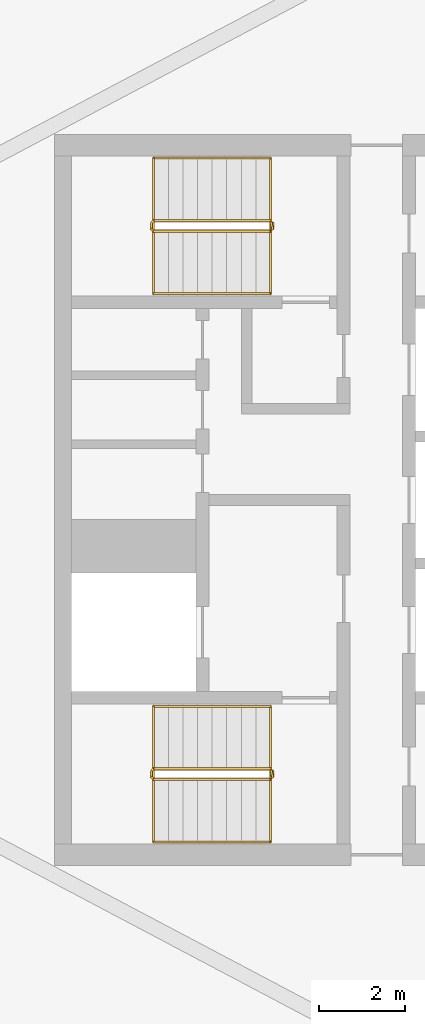
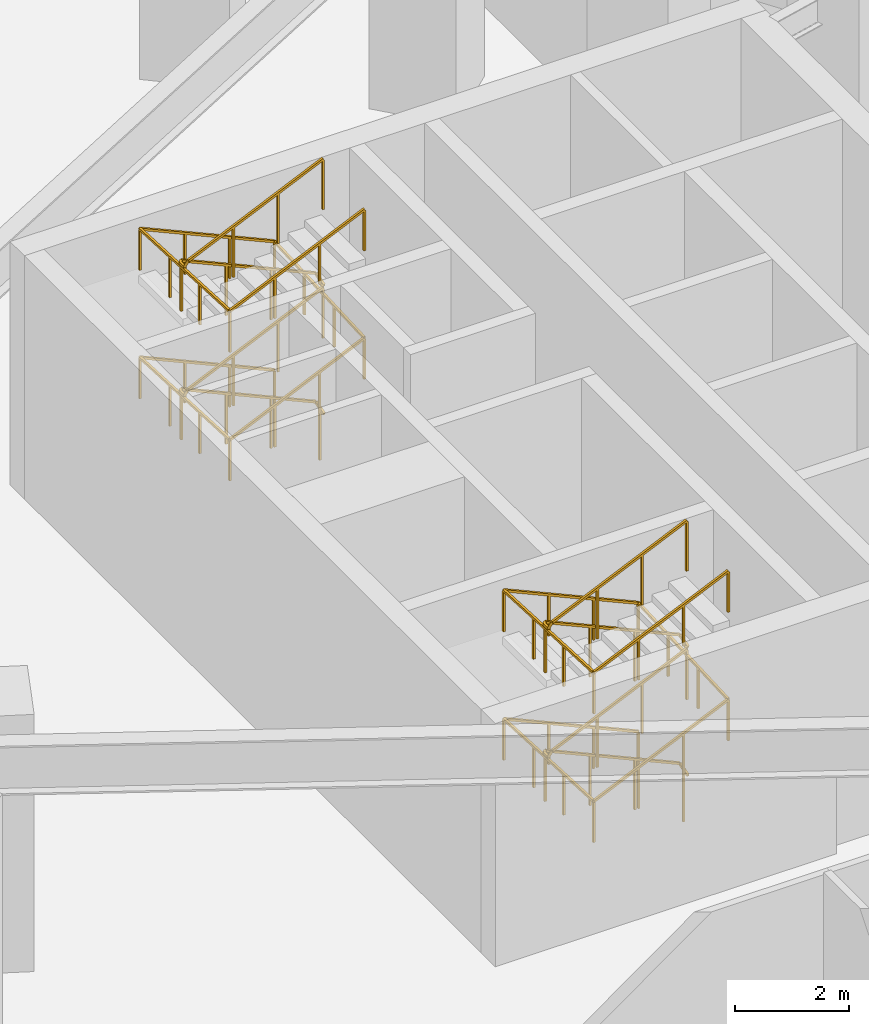
# One storey, part 56 of 63: 4 railings.
"""IFC4 building model written with IfcOpenShell, lengths in metres."""

from ifc_helpers import new_model, si_unit, direction, frame, origin, origin_2d, place, context, subcontext, project, spatial, rectangle, extrude, material, type_object, element, save


model = new_model("IFC4")

# Units and contexts
model_context = context("Model", 3, precision=1e-05, world=origin(), true_north=direction((0.0, 1.0)))
body_context = subcontext(model_context, "Body", "Model", "MODEL_VIEW")
ifc_project = project(units=[si_unit("LENGTHUNIT", "METRE"), si_unit("AREAUNIT", "SQUARE_METRE"), si_unit("VOLUMEUNIT", "CUBIC_METRE"), si_unit("PLANEANGLEUNIT", "RADIAN"), si_unit("MASSUNIT", "GRAM", prefix="KILO")], contexts=[model_context])

# Site, building, storey
site_placement = place(None, origin())
site = spatial("IfcSite", under=ifc_project, at=site_placement, CompositionType="ELEMENT")
building_placement = place(site_placement, origin())
building = spatial("IfcBuilding", under=site, at=building_placement, Name="Noorbagh Ring Tower", CompositionType="ELEMENT")
storey_placement = place(building_placement, frame((0.0, 0.0, 25.0)))
storey = spatial("IfcBuildingStorey", under=building, at=storey_placement, Name="L04", CompositionType="ELEMENT", Elevation=25.0)

# Railings
ifc_material_1 = material(Name="Stainless steel", Category="steel")
railing_type_1 = type_object("IfcRailingType", Name="CORE-STAIR-GUARD", PredefinedType="GUARDRAIL", material=ifc_material_1)
railing_1_placement = place(storey_placement, frame((21.580078125, 6.449951171875, 0.0)))
element("IfcRailing", 1, at=railing_1_placement, inside=storey, type_object=railing_type_1, Name="L04 ST3 stair guard", PredefinedType="GUARDRAIL", context=body_context, shape_type="SweptSolid", body=[
    extrude(rectangle(XDim=0.048095703125, YDim=0.048095703125, at=origin_2d()), frame((0.0, 0.0, 1.076171875), z_axis=(0.0, -1.0, 0.0), x_axis=(1.0, 0.0, 0.0)), (0.0, 0.0, 1.0), 0.14990234375),
    extrude(rectangle(XDim=0.048095703125, YDim=0.048095703125, at=origin_2d()), frame((0.0, -0.14990234375, 1.076171875), z_axis=(-0.195046945594, 0.779236333862, 0.595606770449), x_axis=(-0.970072785993, -0.242814311512, 0.0)), (0.0, 0.0, 1.0), 0.256591796875),
    extrude(rectangle(XDim=0.048095703125, YDim=0.048095703125, at=origin_2d()), frame((-0.050048828125, 0.050048828125, 1.22900390625), z_axis=(-0.912149621895, 0.0, 0.409857374312), x_axis=(0.0, -1.0, 0.0)), (0.0, 0.0, 1.0), 2.98193359375),
    extrude(rectangle(XDim=0.048095703125, YDim=0.048095703125, at=origin_2d()), frame((-2.77001953125, 0.050048828125, 2.451171875), z_axis=(-0.707106781187, -0.707106781187, 0.0), x_axis=(0.707106781187, -0.707106781187, 0.0)), (0.0, 0.0, 1.0), 0.07080078125),
    extrude(rectangle(XDim=0.048095703125, YDim=0.048095703125, at=origin_2d()), frame((-2.820068359375, 0.0, 2.451171875), z_axis=(0.0, -1.0, 0.0), x_axis=(1.0, 0.0, 0.0)), (0.0, 0.0, 1.0), 0.14990234375),
    extrude(rectangle(XDim=0.048095703125, YDim=0.048095703125, at=origin_2d()), frame((-2.820068359375, -0.14990234375, 2.451171875), z_axis=(0.297155754911, -0.297155754911, 0.90741220768), x_axis=(0.707106781187, 0.707106781187, 0.0)), (0.0, 0.0, 1.0), 0.16845703125),
    extrude(rectangle(XDim=0.048095703125, YDim=0.048095703125, at=origin_2d()), frame((-2.77001953125, -0.199951171875, 2.60400390625), z_axis=(0.912149621895, 0.0, 0.409857374312), x_axis=(0.0, 1.0, 0.0)), (0.0, 0.0, 1.0), 2.98193359375),
    extrude(rectangle(XDim=0.048095703125, YDim=0.048095703125, at=origin_2d()), frame((-0.050048828125, -0.199951171875, 3.826171875), z_axis=(0.242814311512, 0.970072785993, 0.0), x_axis=(-0.970072785993, 0.242814311512, 0.0)), (0.0, 0.0, 1.0), 0.2060546875),
    extrude(rectangle(XDim=0.048095703125, YDim=0.048095703125, at=origin_2d()), frame((0.0, 0.0, 3.826171875), z_axis=(0.0, -1.0, 0.0), x_axis=(1.0, 0.0, 0.0)), (0.0, 0.0, 1.0), 0.14990234375),
    extrude(rectangle(XDim=0.048095703125, YDim=0.048095703125, at=origin_2d()), frame((0.0, -0.14990234375, 3.826171875), z_axis=(-0.195046945594, 0.779236333862, 0.595606770449), x_axis=(-0.970072785993, -0.242814311512, 0.0)), (0.0, 0.0, 1.0), 0.256591796875),
    extrude(rectangle(XDim=0.048095703125, YDim=0.048095703125, at=origin_2d()), frame((-0.050048828125, 0.050048828125, 3.97900390625), z_axis=(-0.912149621895, 0.0, 0.409857374312), x_axis=(0.0, -1.0, 0.0)), (0.0, 0.0, 1.0), 2.98193359375),
    extrude(rectangle(XDim=0.048095703125, YDim=0.048095703125, at=origin_2d()), frame((-2.77001953125, 0.050048828125, 5.201171875), z_axis=(-0.707106781187, -0.707106781187, 0.0), x_axis=(0.707106781187, -0.707106781187, 0.0)), (0.0, 0.0, 1.0), 0.07080078125),
    extrude(rectangle(XDim=0.048095703125, YDim=0.048095703125, at=origin_2d()), frame((-2.820068359375, 0.0, 5.201171875), z_axis=(0.0, -1.0, 0.0), x_axis=(1.0, 0.0, 0.0)), (0.0, 0.0, 1.0), 0.14990234375),
    extrude(rectangle(XDim=0.048095703125, YDim=0.048095703125, at=origin_2d()), frame((-2.820068359375, -0.14990234375, 5.201171875), z_axis=(0.297155754911, -0.297155754911, 0.90741220768), x_axis=(0.707106781187, 0.707106781187, 0.0)), (0.0, 0.0, 1.0), 0.16845703125),
    extrude(rectangle(XDim=0.048095703125, YDim=0.048095703125, at=origin_2d()), frame((-2.77001953125, -0.199951171875, 5.35400390625), z_axis=(0.912149621895, 0.0, 0.409857374312), x_axis=(0.0, 1.0, 0.0)), (0.0, 0.0, 1.0), 2.98193359375),
    extrude(rectangle(XDim=0.0419921875, YDim=0.0419921875, at=origin_2d()), origin(), (0.0, 0.0, 1.0), 1.052001953125),
    extrude(rectangle(XDim=0.0419921875, YDim=0.0419921875, at=origin_2d()), frame((-0.956787109375, 0.050048828125, 0.560302734375)), (0.0, 0.0, 1.0), 1.052001953125),
    extrude(rectangle(XDim=0.0419921875, YDim=0.0419921875, at=origin_2d()), frame((-1.86328125, 0.050048828125, 0.967529296875)), (0.0, 0.0, 1.0), 1.052001953125),
    extrude(rectangle(XDim=0.0419921875, YDim=0.0419921875, at=origin_2d()), frame((-2.77001953125, 0.050048828125, 1.375)), (0.0, 0.0, 1.0), 1.052001953125),
    extrude(rectangle(XDim=0.0419921875, YDim=0.0419921875, at=origin_2d()), frame((-1.86328125, -0.199951171875, 1.935302734375)), (0.0, 0.0, 1.0), 1.052001953125),
    extrude(rectangle(XDim=0.0419921875, YDim=0.0419921875, at=origin_2d()), frame((-0.956787109375, -0.199951171875, 2.342529296875)), (0.0, 0.0, 1.0), 1.052001953125),
    extrude(rectangle(XDim=0.0419921875, YDim=0.0419921875, at=origin_2d()), frame((-0.050048828125, -0.199951171875, 2.75)), (0.0, 0.0, 1.0), 1.052001953125),
    extrude(rectangle(XDim=0.0419921875, YDim=0.0419921875, at=origin_2d()), frame((-0.956787109375, 0.050048828125, 3.310302734375)), (0.0, 0.0, 1.0), 1.052001953125),
    extrude(rectangle(XDim=0.0419921875, YDim=0.0419921875, at=origin_2d()), frame((-1.86328125, 0.050048828125, 3.717529296875)), (0.0, 0.0, 1.0), 1.052001953125),
    extrude(rectangle(XDim=0.0419921875, YDim=0.0419921875, at=origin_2d()), frame((-2.77001953125, 0.050048828125, 4.125)), (0.0, 0.0, 1.0), 1.052001953125),
    extrude(rectangle(XDim=0.0419921875, YDim=0.0419921875, at=origin_2d()), frame((-1.86328125, -0.199951171875, 4.685302734375)), (0.0, 0.0, 1.0), 1.052001953125),
    extrude(rectangle(XDim=0.0419921875, YDim=0.0419921875, at=origin_2d()), frame((-0.956787109375, -0.199951171875, 5.092529296875)), (0.0, 0.0, 1.0), 1.052001953125),
    extrude(rectangle(XDim=0.0419921875, YDim=0.0419921875, at=origin_2d()), frame((-0.050048828125, -0.199951171875, 5.5)), (0.0, 0.0, 1.0), 1.052001953125),
])
railing_2_placement = place(storey_placement, frame((21.580078125, -6.300048828125, 0.0)))
element("IfcRailing", 2, at=railing_2_placement, inside=storey, type_object=railing_type_1, Name="L04 ST4 stair guard", PredefinedType="GUARDRAIL", context=body_context, shape_type="SweptSolid", body=[
    extrude(rectangle(XDim=0.048095703125, YDim=0.048095703125, at=origin_2d()), frame((0.0, 0.0, 1.076171875), z_axis=(0.0, -1.0, 0.0), x_axis=(1.0, 0.0, 0.0)), (0.0, 0.0, 1.0), 0.14990234375),
    extrude(rectangle(XDim=0.048095703125, YDim=0.048095703125, at=origin_2d()), frame((0.0, -0.14990234375, 1.076171875), z_axis=(-0.195046945594, 0.779236333862, 0.595606770449), x_axis=(-0.970072785993, -0.242814311512, 0.0)), (0.0, 0.0, 1.0), 0.256591796875),
    extrude(rectangle(XDim=0.048095703125, YDim=0.048095703125, at=origin_2d()), frame((-0.050048828125, 0.050048828125, 1.22900390625), z_axis=(-0.912149621895, 0.0, 0.409857374312), x_axis=(0.0, -1.0, 0.0)), (0.0, 0.0, 1.0), 2.98193359375),
    extrude(rectangle(XDim=0.048095703125, YDim=0.048095703125, at=origin_2d()), frame((-2.77001953125, 0.050048828125, 2.451171875), z_axis=(-0.707106781187, -0.707106781187, 0.0), x_axis=(0.707106781187, -0.707106781187, 0.0)), (0.0, 0.0, 1.0), 0.07080078125),
    extrude(rectangle(XDim=0.048095703125, YDim=0.048095703125, at=origin_2d()), frame((-2.820068359375, 0.0, 2.451171875), z_axis=(0.0, -1.0, 0.0), x_axis=(1.0, 0.0, 0.0)), (0.0, 0.0, 1.0), 0.14990234375),
    extrude(rectangle(XDim=0.048095703125, YDim=0.048095703125, at=origin_2d()), frame((-2.820068359375, -0.14990234375, 2.451171875), z_axis=(0.297155754911, -0.297155754911, 0.90741220768), x_axis=(0.707106781187, 0.707106781187, 0.0)), (0.0, 0.0, 1.0), 0.16845703125),
    extrude(rectangle(XDim=0.048095703125, YDim=0.048095703125, at=origin_2d()), frame((-2.77001953125, -0.199951171875, 2.60400390625), z_axis=(0.912149621895, 0.0, 0.409857374312), x_axis=(0.0, 1.0, 0.0)), (0.0, 0.0, 1.0), 2.98193359375),
    extrude(rectangle(XDim=0.048095703125, YDim=0.048095703125, at=origin_2d()), frame((-0.050048828125, -0.199951171875, 3.826171875), z_axis=(0.242814311512, 0.970072785993, 0.0), x_axis=(-0.970072785993, 0.242814311512, 0.0)), (0.0, 0.0, 1.0), 0.2060546875),
    extrude(rectangle(XDim=0.048095703125, YDim=0.048095703125, at=origin_2d()), frame((0.0, 0.0, 3.826171875), z_axis=(0.0, -1.0, 0.0), x_axis=(1.0, 0.0, 0.0)), (0.0, 0.0, 1.0), 0.14990234375),
    extrude(rectangle(XDim=0.048095703125, YDim=0.048095703125, at=origin_2d()), frame((0.0, -0.14990234375, 3.826171875), z_axis=(-0.195046945594, 0.779236333862, 0.595606770449), x_axis=(-0.970072785993, -0.242814311512, 0.0)), (0.0, 0.0, 1.0), 0.256591796875),
    extrude(rectangle(XDim=0.048095703125, YDim=0.048095703125, at=origin_2d()), frame((-0.050048828125, 0.050048828125, 3.97900390625), z_axis=(-0.912149621895, 0.0, 0.409857374312), x_axis=(0.0, -1.0, 0.0)), (0.0, 0.0, 1.0), 2.98193359375),
    extrude(rectangle(XDim=0.048095703125, YDim=0.048095703125, at=origin_2d()), frame((-2.77001953125, 0.050048828125, 5.201171875), z_axis=(-0.707106781187, -0.707106781187, 0.0), x_axis=(0.707106781187, -0.707106781187, 0.0)), (0.0, 0.0, 1.0), 0.07080078125),
    extrude(rectangle(XDim=0.048095703125, YDim=0.048095703125, at=origin_2d()), frame((-2.820068359375, 0.0, 5.201171875), z_axis=(0.0, -1.0, 0.0), x_axis=(1.0, 0.0, 0.0)), (0.0, 0.0, 1.0), 0.14990234375),
    extrude(rectangle(XDim=0.048095703125, YDim=0.048095703125, at=origin_2d()), frame((-2.820068359375, -0.14990234375, 5.201171875), z_axis=(0.297155754911, -0.297155754911, 0.90741220768), x_axis=(0.707106781187, 0.707106781187, 0.0)), (0.0, 0.0, 1.0), 0.16845703125),
    extrude(rectangle(XDim=0.048095703125, YDim=0.048095703125, at=origin_2d()), frame((-2.77001953125, -0.199951171875, 5.35400390625), z_axis=(0.912149621895, 0.0, 0.409857374312), x_axis=(0.0, 1.0, 0.0)), (0.0, 0.0, 1.0), 2.98193359375),
    extrude(rectangle(XDim=0.0419921875, YDim=0.0419921875, at=origin_2d()), origin(), (0.0, 0.0, 1.0), 1.052001953125),
    extrude(rectangle(XDim=0.0419921875, YDim=0.0419921875, at=origin_2d()), frame((-0.956787109375, 0.050048828125, 0.560302734375)), (0.0, 0.0, 1.0), 1.052001953125),
    extrude(rectangle(XDim=0.0419921875, YDim=0.0419921875, at=origin_2d()), frame((-1.86328125, 0.050048828125, 0.967529296875)), (0.0, 0.0, 1.0), 1.052001953125),
    extrude(rectangle(XDim=0.0419921875, YDim=0.0419921875, at=origin_2d()), frame((-2.77001953125, 0.050048828125, 1.375)), (0.0, 0.0, 1.0), 1.052001953125),
    extrude(rectangle(XDim=0.0419921875, YDim=0.0419921875, at=origin_2d()), frame((-1.86328125, -0.199951171875, 1.935302734375)), (0.0, 0.0, 1.0), 1.052001953125),
    extrude(rectangle(XDim=0.0419921875, YDim=0.0419921875, at=origin_2d()), frame((-0.956787109375, -0.199951171875, 2.342529296875)), (0.0, 0.0, 1.0), 1.052001953125),
    extrude(rectangle(XDim=0.0419921875, YDim=0.0419921875, at=origin_2d()), frame((-0.050048828125, -0.199951171875, 2.75)), (0.0, 0.0, 1.0), 1.052001953125),
    extrude(rectangle(XDim=0.0419921875, YDim=0.0419921875, at=origin_2d()), frame((-0.956787109375, 0.050048828125, 3.310302734375)), (0.0, 0.0, 1.0), 1.052001953125),
    extrude(rectangle(XDim=0.0419921875, YDim=0.0419921875, at=origin_2d()), frame((-1.86328125, 0.050048828125, 3.717529296875)), (0.0, 0.0, 1.0), 1.052001953125),
    extrude(rectangle(XDim=0.0419921875, YDim=0.0419921875, at=origin_2d()), frame((-2.77001953125, 0.050048828125, 4.125)), (0.0, 0.0, 1.0), 1.052001953125),
    extrude(rectangle(XDim=0.0419921875, YDim=0.0419921875, at=origin_2d()), frame((-1.86328125, -0.199951171875, 4.685302734375)), (0.0, 0.0, 1.0), 1.052001953125),
    extrude(rectangle(XDim=0.0419921875, YDim=0.0419921875, at=origin_2d()), frame((-0.956787109375, -0.199951171875, 5.092529296875)), (0.0, 0.0, 1.0), 1.052001953125),
    extrude(rectangle(XDim=0.0419921875, YDim=0.0419921875, at=origin_2d()), frame((-0.050048828125, -0.199951171875, 5.5)), (0.0, 0.0, 1.0), 1.052001953125),
])
ifc_material_2 = material(Name="Stainless steel", Category="steel")
railing_type_2 = type_object("IfcRailingType", Name="CORE-STAIR-HANDRAIL", PredefinedType="HANDRAIL", material=ifc_material_2)
railing_3_placement = place(storey_placement, frame((21.530029296875, 7.949951171875, 0.15283203125)))
element("IfcRailing", 3, at=railing_3_placement, inside=storey, type_object=railing_type_2, Name="L04 ST3 stair handrail", PredefinedType="HANDRAIL", context=body_context, shape_type="SweptSolid", body=[
    extrude(rectangle(XDim=0.048095703125, YDim=0.048095703125, at=origin_2d()), frame((0.0, 0.0, 0.8759765625), z_axis=(-0.912149621895, 0.0, 0.409857374312), x_axis=(0.0, -1.0, 0.0)), (0.0, 0.0, 1.0), 2.98193359375),
    extrude(rectangle(XDim=0.048095703125, YDim=0.048095703125, at=origin_2d()), frame((-2.719970703125, 0.0, 2.09814453125), z_axis=(0.0, -0.998824997948, 0.048462598722), x_axis=(1.0, 0.0, 0.0)), (0.0, 0.0, 1.0), 3.153564453125),
    extrude(rectangle(XDim=0.048095703125, YDim=0.048095703125, at=origin_2d()), frame((-2.719970703125, -3.14990234375, 2.2509765625), z_axis=(0.912149621895, 0.0, 0.409857374312), x_axis=(0.0, 1.0, 0.0)), (0.0, 0.0, 1.0), 2.98193359375),
    extrude(rectangle(XDim=0.048095703125, YDim=0.048095703125, at=origin_2d()), frame((0.0, -3.14990234375, 3.47314453125), z_axis=(0.0, 0.998824997948, 0.048462598722), x_axis=(-1.0, 0.0, 0.0)), (0.0, 0.0, 1.0), 3.153564453125),
    extrude(rectangle(XDim=0.048095703125, YDim=0.048095703125, at=origin_2d()), frame((0.0, 0.0, 3.6259765625), z_axis=(-0.912149621895, 0.0, 0.409857374312), x_axis=(0.0, -1.0, 0.0)), (0.0, 0.0, 1.0), 2.98193359375),
    extrude(rectangle(XDim=0.048095703125, YDim=0.048095703125, at=origin_2d()), frame((-2.719970703125, 0.0, 4.84814453125), z_axis=(0.0, -0.998824997948, 0.048462598722), x_axis=(1.0, 0.0, 0.0)), (0.0, 0.0, 1.0), 3.153564453125),
    extrude(rectangle(XDim=0.048095703125, YDim=0.048095703125, at=origin_2d()), frame((-2.719970703125, -3.14990234375, 5.0009765625), z_axis=(0.912149621895, 0.0, 0.409857374312), x_axis=(0.0, 1.0, 0.0)), (0.0, 0.0, 1.0), 2.98193359375),
    extrude(rectangle(XDim=0.0419921875, YDim=0.0419921875, at=origin_2d()), origin(), (0.0, 0.0, 1.0), 0.851806640625),
    extrude(rectangle(XDim=0.0419921875, YDim=0.0419921875, at=origin_2d()), frame((-0.90673828125, 0.0, 0.407470703125)), (0.0, 0.0, 1.0), 0.851806640625),
    extrude(rectangle(XDim=0.0419921875, YDim=0.0419921875, at=origin_2d()), frame((-1.813232421875, 0.0, 0.814697265625)), (0.0, 0.0, 1.0), 0.851806640625),
    extrude(rectangle(XDim=0.0419921875, YDim=0.0419921875, at=origin_2d()), frame((-2.719970703125, 0.0, 1.22216796875)), (0.0, 0.0, 1.0), 0.851806640625),
    extrude(rectangle(XDim=0.0419921875, YDim=0.0419921875, at=origin_2d()), frame((-2.719970703125, -1.050048828125, 1.273193359375)), (0.0, 0.0, 1.0), 0.851806640625),
    extrude(rectangle(XDim=0.0419921875, YDim=0.0419921875, at=origin_2d()), frame((-2.719970703125, -2.099853515625, 1.323974609375)), (0.0, 0.0, 1.0), 0.851806640625),
    extrude(rectangle(XDim=0.0419921875, YDim=0.0419921875, at=origin_2d()), frame((-2.719970703125, -3.14990234375, 1.375)), (0.0, 0.0, 1.0), 0.851806640625),
    extrude(rectangle(XDim=0.0419921875, YDim=0.0419921875, at=origin_2d()), frame((-1.813232421875, -3.14990234375, 1.782470703125)), (0.0, 0.0, 1.0), 0.851806640625),
    extrude(rectangle(XDim=0.0419921875, YDim=0.0419921875, at=origin_2d()), frame((-0.90673828125, -3.14990234375, 2.189697265625)), (0.0, 0.0, 1.0), 0.851806640625),
    extrude(rectangle(XDim=0.0419921875, YDim=0.0419921875, at=origin_2d()), frame((0.0, -3.14990234375, 2.59716796875)), (0.0, 0.0, 1.0), 0.851806640625),
    extrude(rectangle(XDim=0.0419921875, YDim=0.0419921875, at=origin_2d()), frame((0.0, -2.099853515625, 2.648193359375)), (0.0, 0.0, 1.0), 0.851806640625),
    extrude(rectangle(XDim=0.0419921875, YDim=0.0419921875, at=origin_2d()), frame((0.0, -1.050048828125, 2.698974609375)), (0.0, 0.0, 1.0), 0.851806640625),
    extrude(rectangle(XDim=0.0419921875, YDim=0.0419921875, at=origin_2d()), frame((0.0, 0.0, 2.75)), (0.0, 0.0, 1.0), 0.851806640625),
    extrude(rectangle(XDim=0.0419921875, YDim=0.0419921875, at=origin_2d()), frame((-0.90673828125, 0.0, 3.157470703125)), (0.0, 0.0, 1.0), 0.851806640625),
    extrude(rectangle(XDim=0.0419921875, YDim=0.0419921875, at=origin_2d()), frame((-1.813232421875, 0.0, 3.564697265625)), (0.0, 0.0, 1.0), 0.851806640625),
    extrude(rectangle(XDim=0.0419921875, YDim=0.0419921875, at=origin_2d()), frame((-2.719970703125, 0.0, 3.97216796875)), (0.0, 0.0, 1.0), 0.851806640625),
    extrude(rectangle(XDim=0.0419921875, YDim=0.0419921875, at=origin_2d()), frame((-2.719970703125, -1.050048828125, 4.023193359375)), (0.0, 0.0, 1.0), 0.851806640625),
    extrude(rectangle(XDim=0.0419921875, YDim=0.0419921875, at=origin_2d()), frame((-2.719970703125, -2.099853515625, 4.073974609375)), (0.0, 0.0, 1.0), 0.851806640625),
    extrude(rectangle(XDim=0.0419921875, YDim=0.0419921875, at=origin_2d()), frame((-2.719970703125, -3.14990234375, 4.125)), (0.0, 0.0, 1.0), 0.851806640625),
    extrude(rectangle(XDim=0.0419921875, YDim=0.0419921875, at=origin_2d()), frame((-1.813232421875, -3.14990234375, 4.532470703125)), (0.0, 0.0, 1.0), 0.851806640625),
    extrude(rectangle(XDim=0.0419921875, YDim=0.0419921875, at=origin_2d()), frame((-0.90673828125, -3.14990234375, 4.939697265625)), (0.0, 0.0, 1.0), 0.851806640625),
    extrude(rectangle(XDim=0.0419921875, YDim=0.0419921875, at=origin_2d()), frame((0.0, -3.14990234375, 5.34716796875)), (0.0, 0.0, 1.0), 0.851806640625),
])
railing_4_placement = place(storey_placement, frame((21.530029296875, -4.800048828125, 0.15283203125)))
element("IfcRailing", 4, at=railing_4_placement, inside=storey, type_object=railing_type_2, Name="L04 ST4 stair handrail", PredefinedType="HANDRAIL", context=body_context, shape_type="SweptSolid", body=[
    extrude(rectangle(XDim=0.048095703125, YDim=0.048095703125, at=origin_2d()), frame((0.0, 0.0, 0.8759765625), z_axis=(-0.912149621895, 0.0, 0.409857374312), x_axis=(0.0, -1.0, 0.0)), (0.0, 0.0, 1.0), 2.98193359375),
    extrude(rectangle(XDim=0.048095703125, YDim=0.048095703125, at=origin_2d()), frame((-2.719970703125, 0.0, 2.09814453125), z_axis=(0.0, -0.998824997948, 0.048462598722), x_axis=(1.0, 0.0, 0.0)), (0.0, 0.0, 1.0), 3.153564453125),
    extrude(rectangle(XDim=0.048095703125, YDim=0.048095703125, at=origin_2d()), frame((-2.719970703125, -3.14990234375, 2.2509765625), z_axis=(0.912149621895, 0.0, 0.409857374312), x_axis=(0.0, 1.0, 0.0)), (0.0, 0.0, 1.0), 2.98193359375),
    extrude(rectangle(XDim=0.048095703125, YDim=0.048095703125, at=origin_2d()), frame((0.0, -3.14990234375, 3.47314453125), z_axis=(0.0, 0.998824997948, 0.048462598722), x_axis=(-1.0, 0.0, 0.0)), (0.0, 0.0, 1.0), 3.153564453125),
    extrude(rectangle(XDim=0.048095703125, YDim=0.048095703125, at=origin_2d()), frame((0.0, 0.0, 3.6259765625), z_axis=(-0.912149621895, 0.0, 0.409857374312), x_axis=(0.0, -1.0, 0.0)), (0.0, 0.0, 1.0), 2.98193359375),
    extrude(rectangle(XDim=0.048095703125, YDim=0.048095703125, at=origin_2d()), frame((-2.719970703125, 0.0, 4.84814453125), z_axis=(0.0, -0.998824997948, 0.048462598722), x_axis=(1.0, 0.0, 0.0)), (0.0, 0.0, 1.0), 3.153564453125),
    extrude(rectangle(XDim=0.048095703125, YDim=0.048095703125, at=origin_2d()), frame((-2.719970703125, -3.14990234375, 5.0009765625), z_axis=(0.912149621895, 0.0, 0.409857374312), x_axis=(0.0, 1.0, 0.0)), (0.0, 0.0, 1.0), 2.98193359375),
    extrude(rectangle(XDim=0.0419921875, YDim=0.0419921875, at=origin_2d()), origin(), (0.0, 0.0, 1.0), 0.851806640625),
    extrude(rectangle(XDim=0.0419921875, YDim=0.0419921875, at=origin_2d()), frame((-0.90673828125, 0.0, 0.407470703125)), (0.0, 0.0, 1.0), 0.851806640625),
    extrude(rectangle(XDim=0.0419921875, YDim=0.0419921875, at=origin_2d()), frame((-1.813232421875, 0.0, 0.814697265625)), (0.0, 0.0, 1.0), 0.851806640625),
    extrude(rectangle(XDim=0.0419921875, YDim=0.0419921875, at=origin_2d()), frame((-2.719970703125, 0.0, 1.22216796875)), (0.0, 0.0, 1.0), 0.851806640625),
    extrude(rectangle(XDim=0.0419921875, YDim=0.0419921875, at=origin_2d()), frame((-2.719970703125, -1.050048828125, 1.273193359375)), (0.0, 0.0, 1.0), 0.851806640625),
    extrude(rectangle(XDim=0.0419921875, YDim=0.0419921875, at=origin_2d()), frame((-2.719970703125, -2.099853515625, 1.323974609375)), (0.0, 0.0, 1.0), 0.851806640625),
    extrude(rectangle(XDim=0.0419921875, YDim=0.0419921875, at=origin_2d()), frame((-2.719970703125, -3.14990234375, 1.375)), (0.0, 0.0, 1.0), 0.851806640625),
    extrude(rectangle(XDim=0.0419921875, YDim=0.0419921875, at=origin_2d()), frame((-1.813232421875, -3.14990234375, 1.782470703125)), (0.0, 0.0, 1.0), 0.851806640625),
    extrude(rectangle(XDim=0.0419921875, YDim=0.0419921875, at=origin_2d()), frame((-0.90673828125, -3.14990234375, 2.189697265625)), (0.0, 0.0, 1.0), 0.851806640625),
    extrude(rectangle(XDim=0.0419921875, YDim=0.0419921875, at=origin_2d()), frame((0.0, -3.14990234375, 2.59716796875)), (0.0, 0.0, 1.0), 0.851806640625),
    extrude(rectangle(XDim=0.0419921875, YDim=0.0419921875, at=origin_2d()), frame((0.0, -2.099853515625, 2.648193359375)), (0.0, 0.0, 1.0), 0.851806640625),
    extrude(rectangle(XDim=0.0419921875, YDim=0.0419921875, at=origin_2d()), frame((0.0, -1.050048828125, 2.698974609375)), (0.0, 0.0, 1.0), 0.851806640625),
    extrude(rectangle(XDim=0.0419921875, YDim=0.0419921875, at=origin_2d()), frame((0.0, 0.0, 2.75)), (0.0, 0.0, 1.0), 0.851806640625),
    extrude(rectangle(XDim=0.0419921875, YDim=0.0419921875, at=origin_2d()), frame((-0.90673828125, 0.0, 3.157470703125)), (0.0, 0.0, 1.0), 0.851806640625),
    extrude(rectangle(XDim=0.0419921875, YDim=0.0419921875, at=origin_2d()), frame((-1.813232421875, 0.0, 3.564697265625)), (0.0, 0.0, 1.0), 0.851806640625),
    extrude(rectangle(XDim=0.0419921875, YDim=0.0419921875, at=origin_2d()), frame((-2.719970703125, 0.0, 3.97216796875)), (0.0, 0.0, 1.0), 0.851806640625),
    extrude(rectangle(XDim=0.0419921875, YDim=0.0419921875, at=origin_2d()), frame((-2.719970703125, -1.050048828125, 4.023193359375)), (0.0, 0.0, 1.0), 0.851806640625),
    extrude(rectangle(XDim=0.0419921875, YDim=0.0419921875, at=origin_2d()), frame((-2.719970703125, -2.099853515625, 4.073974609375)), (0.0, 0.0, 1.0), 0.851806640625),
    extrude(rectangle(XDim=0.0419921875, YDim=0.0419921875, at=origin_2d()), frame((-2.719970703125, -3.14990234375, 4.125)), (0.0, 0.0, 1.0), 0.851806640625),
    extrude(rectangle(XDim=0.0419921875, YDim=0.0419921875, at=origin_2d()), frame((-1.813232421875, -3.14990234375, 4.532470703125)), (0.0, 0.0, 1.0), 0.851806640625),
    extrude(rectangle(XDim=0.0419921875, YDim=0.0419921875, at=origin_2d()), frame((-0.90673828125, -3.14990234375, 4.939697265625)), (0.0, 0.0, 1.0), 0.851806640625),
    extrude(rectangle(XDim=0.0419921875, YDim=0.0419921875, at=origin_2d()), frame((0.0, -3.14990234375, 5.34716796875)), (0.0, 0.0, 1.0), 0.851806640625),
])

save(model, "model.ifc")
